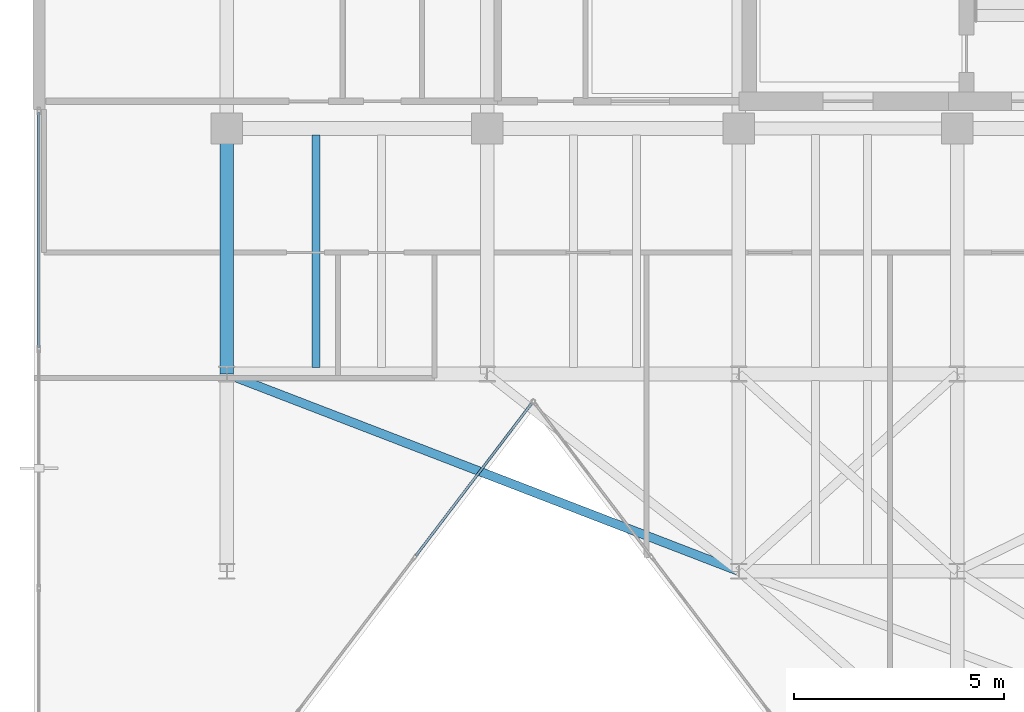
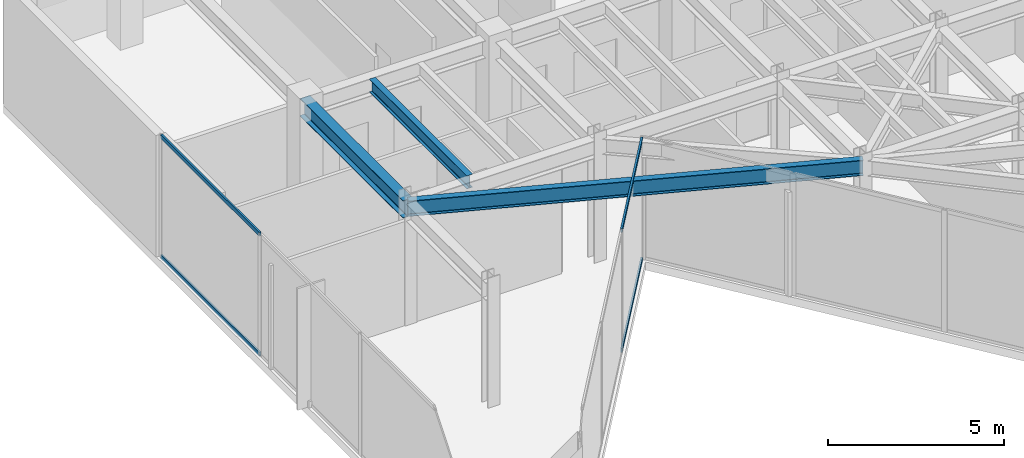
# One storey, part 4 of 17: 4 members, 3 beams, 2 elements without a shape of their own.
"""IFC4 building model written with IfcOpenShell, lengths in metres."""

from ifc_helpers import new_model, si_unit, direction, frame, origin, origin_2d, place, context, subcontext, project, spatial, hollow_rectangle, i_section, extrude, material, layer, layer_set, material_profile, profile_set, type_object, element, aggregate, save


model = new_model("IFC4")

# Units and contexts
model_context = context("Model", 3, precision=1e-05, world=origin(), true_north=direction((0.0, 1.0)))
body_context = subcontext(model_context, "Body", "Model", "MODEL_VIEW")
ifc_project = project(units=[si_unit("LENGTHUNIT", "METRE"), si_unit("AREAUNIT", "SQUARE_METRE"), si_unit("VOLUMEUNIT", "CUBIC_METRE"), si_unit("PLANEANGLEUNIT", "RADIAN"), si_unit("MASSUNIT", "GRAM", prefix="KILO")], contexts=[model_context])

# Site, building, storey
site_placement = place(None, origin())
site = spatial("IfcSite", under=ifc_project, at=site_placement, CompositionType="ELEMENT")
building_placement = place(site_placement, origin())
building = spatial("IfcBuilding", under=site, at=building_placement, Name="Kravanh Interchange Tower", CompositionType="ELEMENT")
storey_placement = place(building_placement, frame((0.0, 0.0, 311.10009765625)))
storey = spatial("IfcBuildingStorey", under=building, at=storey_placement, Name="L77", CompositionType="ELEMENT", Elevation=311.10009765625)

# Curtain wall, members
ifc_material_1 = material(Name="Anodised Bronze Aluminium", Category="aluminium")
ifc_layer = layer(ifc_material_1, 0.179931640625)
ifc_layer_set = layer_set([ifc_layer], Name="Unitised Curtain Wall System CW-SKY Sky Observatory")
curtain_wall_type = type_object("IfcCurtainWallType", Name="Unitised Curtain Wall System CW-SKY Sky Observatory", PredefinedType="NOTDEFINED", material=ifc_layer_set)
curtain_wall_1_placement = place(storey_placement, origin())
curtain_wall_1 = element("IfcCurtainWall", 1, at=curtain_wall_1_placement, inside=storey, type_object=curtain_wall_type, Name="L77 Unitised Curtain Wall CW-L77-01", PredefinedType="NOTDEFINED")
ifc_material_2 = material(Name="Anodised Bronze Aluminium", Category="aluminium")
ifc_material_profile_1 = material_profile(ifc_material_2, hollow_rectangle(XDim=0.06005859375, YDim=0.139892578125, WallThickness=0.00390625, at=origin_2d()), Name="ALU60X140X4")
ifc_profile_set_1 = profile_set([ifc_material_profile_1], Name="Anodised Bronze Aluminium")
member_type = type_object("IfcMemberType", Name="Curtain Wall Transom ALU60X140X4 Bronze", PredefinedType="USERDEFINED", material=ifc_profile_set_1)
member_1_placement = place(storey_placement, frame((34.1201171875, 32.135009765625, 0.02978515625), z_axis=(0.0, 1.0, 0.0), x_axis=(-1.0, 0.0, 0.0)))
member_1 = element("IfcMember", 2, at=member_1_placement, type_object=member_type, Name="CW-SKY transom 3.1", ObjectType="TRANSOM", PredefinedType="USERDEFINED", context=body_context, shape_type="SweptSolid", body=[
    extrude(hollow_rectangle(XDim=0.06005859375, YDim=0.139892578125, WallThickness=0.00390625, at=origin_2d()), origin(), (0.0, 0.0, 1.0), 5.594970703125),
])
member_2_placement = place(storey_placement, frame((34.1201171875, 32.135009765625, 4.18994140625), z_axis=(0.0, 1.0, 0.0), x_axis=(-1.0, 0.0, 0.0)))
member_2 = element("IfcMember", 3, at=member_2_placement, type_object=member_type, Name="CW-SKY transom 3.2", ObjectType="TRANSOM", PredefinedType="USERDEFINED", context=body_context, shape_type="SweptSolid", body=[
    extrude(hollow_rectangle(XDim=0.06005859375, YDim=0.139892578125, WallThickness=0.00390625, at=origin_2d()), origin(), (0.0, 0.0, 1.0), 5.594970703125),
])
aggregate(curtain_wall_1, [member_1, member_2])

curtain_wall_2_placement = place(storey_placement, origin())
curtain_wall_2 = element("IfcCurtainWall", 4, at=curtain_wall_2_placement, inside=storey, type_object=curtain_wall_type, Name="L77 Unitised Curtain Wall CW-L77-06", PredefinedType="NOTDEFINED")
member_3_placement = place(storey_placement, frame((45.857666015625, 30.795166015625, 0.02978515625), z_axis=(-0.605090062038, -0.796157030254, 0.0), x_axis=(0.796157030254, -0.605090062038, 0.0)))
member_3 = element("IfcMember", 5, at=member_3_placement, type_object=member_type, Name="CW-SKY transom 1.1", ObjectType="TRANSOM", PredefinedType="USERDEFINED", context=body_context, shape_type="SweptSolid", body=[
    extrude(hollow_rectangle(XDim=0.06005859375, YDim=0.139892578125, WallThickness=0.00390625, at=origin_2d()), origin(), (0.0, 0.0, 1.0), 4.55517578125),
])
member_4_placement = place(storey_placement, frame((45.857666015625, 30.795166015625, 4.18994140625), z_axis=(-0.605090062038, -0.796157030254, 0.0), x_axis=(0.796157030254, -0.605090062038, 0.0)))
member_4 = element("IfcMember", 6, at=member_4_placement, type_object=member_type, Name="CW-SKY transom 1.2", ObjectType="TRANSOM", PredefinedType="USERDEFINED", context=body_context, shape_type="SweptSolid", body=[
    extrude(hollow_rectangle(XDim=0.06005859375, YDim=0.139892578125, WallThickness=0.00390625, at=origin_2d()), origin(), (0.0, 0.0, 1.0), 4.55517578125),
])
aggregate(curtain_wall_2, [member_3, member_4])

# Beams
ifc_material_3 = material(Name="Structural Steel S355", Category="steel")
ifc_material_profile_2 = material_profile(ifc_material_3, i_section(OverallWidth=0.323974609375, OverallDepth=0.611083984375, WebThickness=0.0126953125, FlangeThickness=0.01904296875, FilletRadius=0.02197265625, at=origin_2d()), Name="W24X104")
ifc_profile_set_2 = profile_set([ifc_material_profile_2], Name="Structural Steel S355")
beam_type_1 = type_object("IfcBeamType", Name="Floor Beam W24X104 Structural Steel S355", PredefinedType="BEAM", material=ifc_profile_set_2)
beam_1_placement = place(storey_placement, frame((38.60009765625, 31.5, 3.914306640625), z_axis=(0.0, 1.0, 0.0), x_axis=(-1.0, 0.0, 0.0)))
element("IfcBeam", 7, at=beam_1_placement, inside=storey, type_object=beam_type_1, Name="L77 Primary Floor Girder 18", PredefinedType="BEAM", context=body_context, shape_type="SweptSolid", body=[
    extrude(i_section(OverallWidth=0.323974609375, OverallDepth=0.611083984375, WebThickness=0.0126953125, FlangeThickness=0.01904296875, FilletRadius=0.02197265625, at=origin_2d()), origin(), (0.0, 0.0, 1.0), 5.85009765625),
])
ifc_material_4 = material(Name="Structural Steel S355", Category="steel")
ifc_material_profile_3 = material_profile(ifc_material_4, i_section(OverallWidth=0.18994140625, OverallDepth=0.45703125, WebThickness=0.009033203125, FlangeThickness=0.014404296875, FilletRadius=0.01806640625, at=origin_2d()), Name="W18X50")
ifc_profile_set_3 = profile_set([ifc_material_profile_3], Name="Structural Steel S355")
beam_type_2 = type_object("IfcBeamType", Name="Floor Joist W18X50 Structural Steel S355", PredefinedType="JOIST", material=ifc_profile_set_3)
beam_2_placement = place(storey_placement, frame((40.719970703125, 31.656982421875, 3.991455078125), z_axis=(0.0, 1.0, 0.0), x_axis=(-1.0, 0.0, 0.0)))
element("IfcBeam", 8, at=beam_2_placement, inside=storey, type_object=beam_type_2, Name="L77 Secondary Floor Joist 7", PredefinedType="JOIST", context=body_context, shape_type="SweptSolid", body=[
    extrude(i_section(OverallWidth=0.18994140625, OverallDepth=0.45703125, WebThickness=0.009033203125, FlangeThickness=0.014404296875, FilletRadius=0.01806640625, at=origin_2d()), origin(), (0.0, 0.0, 1.0), 5.5361328125),
])
ifc_material_5 = material(Name="Structural Steel S355", Category="steel")
ifc_material_profile_4 = material_profile(ifc_material_5, i_section(OverallWidth=0.2099609375, OverallDepth=0.537109375, WebThickness=0.010986328125, FlangeThickness=0.017333984375, FilletRadius=0.02001953125, at=origin_2d()), Name="W21X68")
ifc_profile_set_4 = profile_set([ifc_material_profile_4], Name="Structural Steel S355")
beam_type_3 = type_object("IfcBeamType", Name="Floor Spandrel W21X68 Structural Steel S355", PredefinedType="SPANDREL", material=ifc_profile_set_4)
beam_3_placement = place(storey_placement, frame((38.60009765625, 31.5, 3.951416015625), z_axis=(0.933149102762, -0.359489571497, 0.0), x_axis=(0.359489571497, 0.933149102762, 0.0)))
element("IfcBeam", 9, at=beam_3_placement, inside=storey, type_object=beam_type_3, Name="L77 Perimeter Spandrel 19", PredefinedType="SPANDREL", context=body_context, shape_type="SweptSolid", body=[
    extrude(i_section(OverallWidth=0.2099609375, OverallDepth=0.537109375, WebThickness=0.010986328125, FlangeThickness=0.017333984375, FilletRadius=0.02001953125, at=origin_2d()), origin(), (0.0, 0.0, 1.0), 13.073974609375),
])

save(model, "model.ifc")
